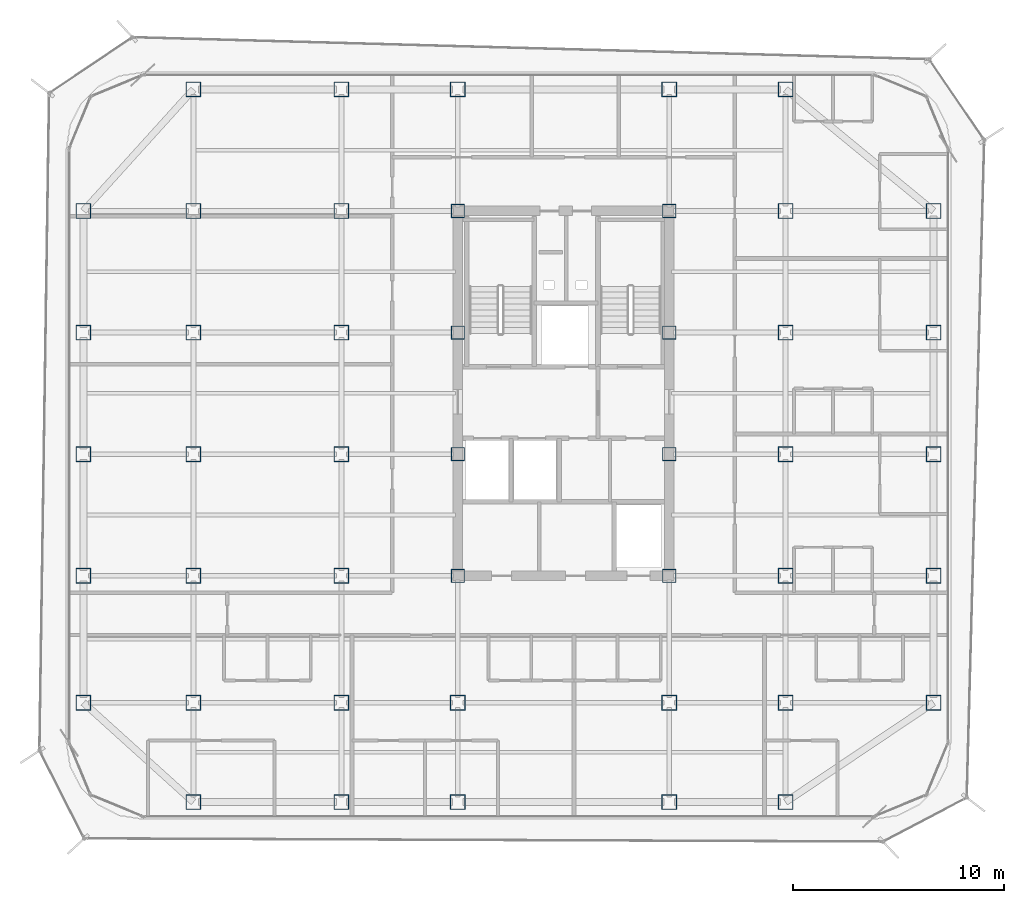
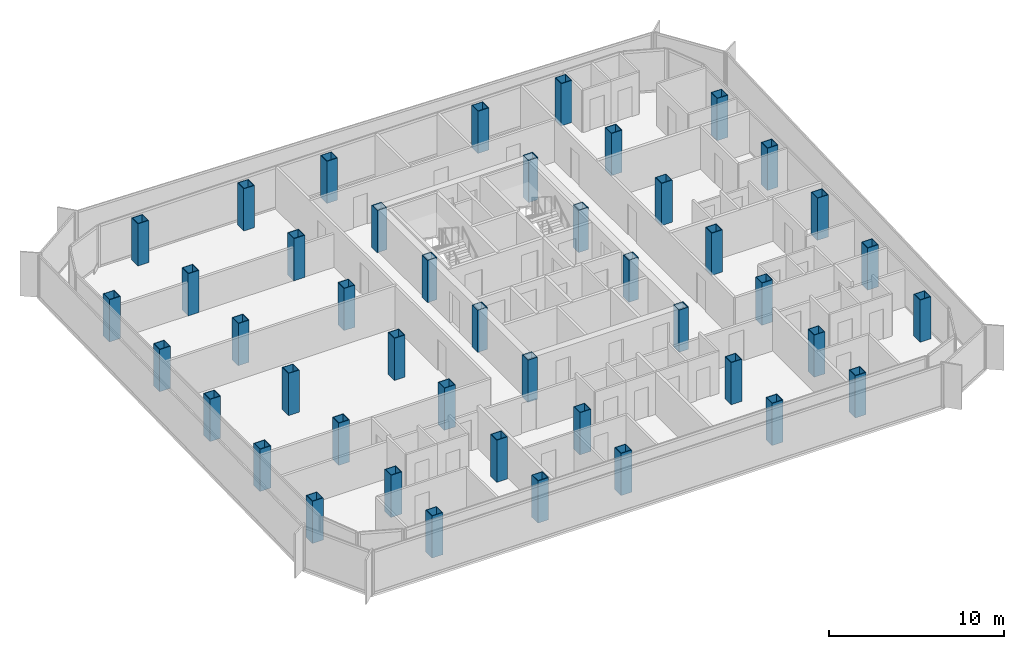
# One storey, part 1 of 16: 45 columns.
"""IFC4 building model written with IfcOpenShell, lengths in metres."""

from ifc_helpers import new_model, si_unit, direction, frame, origin, origin_2d, place, context, subcontext, project, spatial, hollow_rectangle, extrude, source, transform, mapped, material, material_profile, profile_set, type_object, element, save


model = new_model("IFC4")

# Units and contexts
model_context = context("Model", 3, precision=1e-05, world=origin(), true_north=direction((0.0, 1.0)))
body_context = subcontext(model_context, "Body", "Model", "MODEL_VIEW")
ifc_project = project(units=[si_unit("LENGTHUNIT", "METRE"), si_unit("AREAUNIT", "SQUARE_METRE"), si_unit("VOLUMEUNIT", "CUBIC_METRE"), si_unit("PLANEANGLEUNIT", "RADIAN"), si_unit("MASSUNIT", "GRAM", prefix="KILO")], contexts=[model_context])

# Site, building, storey
site_placement = place(None, origin())
site = spatial("IfcSite", under=ifc_project, at=site_placement, CompositionType="ELEMENT")
building_placement = place(site_placement, origin())
building = spatial("IfcBuilding", under=site, at=building_placement, Name="Kolveth Station Tower", CompositionType="ELEMENT")
storey_placement = place(building_placement, frame((0.0, 0.0, 175.300048828125)))
storey = spatial("IfcBuildingStorey", under=building, at=storey_placement, Name="L49", CompositionType="ELEMENT", Elevation=175.300048828125)

# Columns
ifc_material = material(Name="Steel S355", Category="steel")
ifc_material_profile_1 = material_profile(ifc_material, hollow_rectangle(XDim=0.719970703125, YDim=0.719970703125, WallThickness=0.0400390625, at=origin_2d()), Name="BOX720x720x40")
ifc_profile_set_1 = profile_set([ifc_material_profile_1], Name="Steel S355")
column_type_1 = type_object("IfcColumnType", Name="Col_C6", PredefinedType="COLUMN", material=ifc_profile_set_1)
shared_shape_1 = source(origin(), body_context, "Body", "SweptSolid", [
    extrude(hollow_rectangle(XDim=0.719970703125, YDim=0.719970703125, WallThickness=0.0400390625, at=origin_2d()), origin(), (0.0, 0.0, 1.0), 2.949951171875),
])
for number, where, z_axis, x_axis, name in (
    (1, (6.0, 0.800048828125, 0.0), (0.0, 0.0, 1.0), (1.0, 0.0, 0.0), "L49 Tower Column S-X60"),
    (2, (6.0, 34.5, 0.0), (0.0, 0.0, 1.0), (1.0, 0.0, 0.0), "L49 Tower Column N-X60"),
    (3, (13.0, 0.800048828125, 0.0), (0.0, 0.0, 1.0), (1.0, 0.0, 0.0), "L49 Tower Column S-X130"),
    (4, (13.0, 34.5, 0.0), (0.0, 0.0, 1.0), (1.0, 0.0, 0.0), "L49 Tower Column N-X130"),
    (5, (18.5, 0.800048828125, 0.0), (0.0, 0.0, 1.0), (1.0, 0.0, 0.0), "L49 Tower Column S-X185"),
    (6, (18.5, 34.5, 0.0), (0.0, 0.0, 1.0), (1.0, 0.0, 0.0), "L49 Tower Column N-X185"),
    (7, (28.5, 0.800048828125, 0.0), (0.0, 0.0, 1.0), (1.0, 0.0, 0.0), "L49 Tower Column S-X285"),
    (8, (28.5, 34.5, 0.0), (0.0, 0.0, 1.0), (1.0, 0.0, 0.0), "L49 Tower Column N-X285"),
    (9, (34.0, 0.800048828125, 0.0), (0.0, 0.0, 1.0), (1.0, 0.0, 0.0), "L49 Tower Column S-X340"),
    (10, (34.0, 34.5, 0.0), (0.0, 0.0, 1.0), (1.0, 0.0, 0.0), "L49 Tower Column N-X340"),
    (11, (0.800048828125, 5.5, 0.0), (0.0, 0.0, 1.0), (1.0, 0.0, 0.0), "L49 Tower Column W-Y55"),
    (12, (41.0, 5.5, 0.0), (0.0, 0.0, 1.0), (1.0, 0.0, 0.0), "L49 Tower Column E-Y55"),
    (13, (0.800048828125, 11.5, 0.0), (0.0, 0.0, 1.0), (1.0, 0.0, 0.0), "L49 Tower Column W-Y115"),
    (14, (41.0, 11.5, 0.0), (0.0, 0.0, 1.0), (1.0, 0.0, 0.0), "L49 Tower Column E-Y115"),
    (15, (0.800048828125, 17.25, 0.0), (0.0, 0.0, 1.0), (1.0, 0.0, 0.0), "L49 Tower Column W-Y172"),
    (16, (41.0, 17.25, 0.0), (0.0, 0.0, 1.0), (1.0, 0.0, 0.0), "L49 Tower Column E-Y172"),
    (17, (0.800048828125, 23.0, 0.0), (0.0, 0.0, 1.0), (1.0, 0.0, 0.0), "L49 Tower Column W-Y230"),
    (18, (41.0, 23.0, 0.0), (0.0, 0.0, 1.0), (1.0, 0.0, 0.0), "L49 Tower Column E-Y230"),
    (19, (0.800048828125, 28.75, 0.0), (0.0, 0.0, 1.0), (1.0, 0.0, 0.0), "L49 Tower Column W-Y287"),
    (20, (41.0, 28.75, 0.0), (0.0, 0.0, 1.0), (1.0, 0.0, 0.0), "L49 Tower Column E-Y287"),
    (21, (6.0, 5.5, 0.0), (0.0, 0.0, 1.0), (1.0, 0.0, 0.0), "L49 Tower Column G-60-55"),
    (22, (6.0, 11.5, 0.0), (0.0, 0.0, 1.0), (1.0, 0.0, 0.0), "L49 Tower Column G-60-115"),
    (23, (6.0, 17.25, 0.0), (0.0, 0.0, 1.0), (1.0, 0.0, 0.0), "L49 Tower Column G-60-172"),
    (24, (6.0, 23.0, 0.0), (0.0, 0.0, 1.0), (1.0, 0.0, 0.0), "L49 Tower Column G-60-230"),
    (25, (6.0, 28.75, 0.0), (0.0, 0.0, 1.0), (1.0, 0.0, 0.0), "L49 Tower Column G-60-287"),
    (26, (13.0, 5.5, 0.0), (0.0, 0.0, 1.0), (1.0, 0.0, 0.0), "L49 Tower Column G-130-55"),
    (27, (13.0, 11.5, 0.0), (0.0, 0.0, 1.0), (1.0, 0.0, 0.0), "L49 Tower Column G-130-115"),
    (28, (13.0, 17.25, 0.0), (0.0, 0.0, 1.0), (1.0, 0.0, 0.0), "L49 Tower Column G-130-172"),
    (29, (13.0, 23.0, 0.0), (0.0, 0.0, 1.0), (1.0, 0.0, 0.0), "L49 Tower Column G-130-230"),
    (30, (13.0, 28.75, 0.0), (0.0, 0.0, 1.0), (1.0, 0.0, 0.0), "L49 Tower Column G-130-287"),
    (31, (18.5, 5.5, 0.0), (0.0, 0.0, 1.0), (1.0, 0.0, 0.0), "L49 Tower Column G-185-55"),
    (32, (28.5, 5.5, 0.0), (0.0, 0.0, 1.0), (1.0, 0.0, 0.0), "L49 Tower Column G-285-55"),
    (33, (34.0, 5.5, 0.0), (0.0, 0.0, 1.0), (1.0, 0.0, 0.0), "L49 Tower Column G-340-55"),
    (34, (34.0, 11.5, 0.0), (0.0, 0.0, 1.0), (1.0, 0.0, 0.0), "L49 Tower Column G-340-115"),
    (35, (34.0, 17.25, 0.0), (0.0, 0.0, 1.0), (1.0, 0.0, 0.0), "L49 Tower Column G-340-172"),
    (36, (34.0, 23.0, 0.0), (0.0, 0.0, 1.0), (1.0, 0.0, 0.0), "L49 Tower Column G-340-230"),
    (37, (34.0, 28.75, 0.0), (0.0, 0.0, 1.0), (1.0, 0.0, 0.0), "L49 Tower Column G-340-287"),
):
    element("IfcColumn", number, at=place(storey_placement, frame(where, z_axis=z_axis, x_axis=x_axis)), inside=storey, type_object=column_type_1, Name=name, PredefinedType="COLUMN", context=body_context, shape_type="MappedRepresentation", body=[
        mapped(shared_shape_1, transform((0.0, 0.0, 0.0), x_axis=(1.0, 0.0, 0.0), y_axis=(0.0, 1.0, 0.0), z_axis=(0.0, 0.0, 1.0), scale=1.0)),
    ])
ifc_material_profile_2 = material_profile(ifc_material, hollow_rectangle(XDim=0.639892578125, YDim=0.639892578125, WallThickness=0.034912109375, at=origin_2d()), Name="BOX640x640x35")
ifc_profile_set_2 = profile_set([ifc_material_profile_2], Name="Steel S355")
column_type_2 = type_object("IfcColumnType", Name="Col_C7", PredefinedType="COLUMN", material=ifc_profile_set_2)
shared_shape_2 = source(origin(), body_context, "Body", "SweptSolid", [
    extrude(hollow_rectangle(XDim=0.639892578125, YDim=0.639892578125, WallThickness=0.034912109375, at=origin_2d()), origin(), (0.0, 0.0, 1.0), 2.949951171875),
])
for number, where, z_axis, x_axis, name in (
    (38, (18.5, 11.5, 0.0), (0.0, 0.0, 1.0), (1.0, 0.0, 0.0), "L49 Tower Column G-185-115"),
    (39, (18.5, 17.25, 0.0), (0.0, 0.0, 1.0), (1.0, 0.0, 0.0), "L49 Tower Column G-185-172"),
    (40, (18.5, 23.0, 0.0), (0.0, 0.0, 1.0), (1.0, 0.0, 0.0), "L49 Tower Column G-185-230"),
    (41, (18.5, 28.75, 0.0), (0.0, 0.0, 1.0), (1.0, 0.0, 0.0), "L49 Tower Column G-185-287"),
    (42, (28.5, 11.5, 0.0), (0.0, 0.0, 1.0), (1.0, 0.0, 0.0), "L49 Tower Column G-285-115"),
    (43, (28.5, 17.25, 0.0), (0.0, 0.0, 1.0), (1.0, 0.0, 0.0), "L49 Tower Column G-285-172"),
    (44, (28.5, 23.0, 0.0), (0.0, 0.0, 1.0), (1.0, 0.0, 0.0), "L49 Tower Column G-285-230"),
    (45, (28.5, 28.75, 0.0), (0.0, 0.0, 1.0), (1.0, 0.0, 0.0), "L49 Tower Column G-285-287"),
):
    element("IfcColumn", number, at=place(storey_placement, frame(where, z_axis=z_axis, x_axis=x_axis)), inside=storey, type_object=column_type_2, Name=name, PredefinedType="COLUMN", context=body_context, shape_type="MappedRepresentation", body=[
        mapped(shared_shape_2, transform((0.0, 0.0, 0.0), x_axis=(1.0, 0.0, 0.0), y_axis=(0.0, 1.0, 0.0), z_axis=(0.0, 0.0, 1.0), scale=1.0)),
    ])

save(model, "model.ifc")
